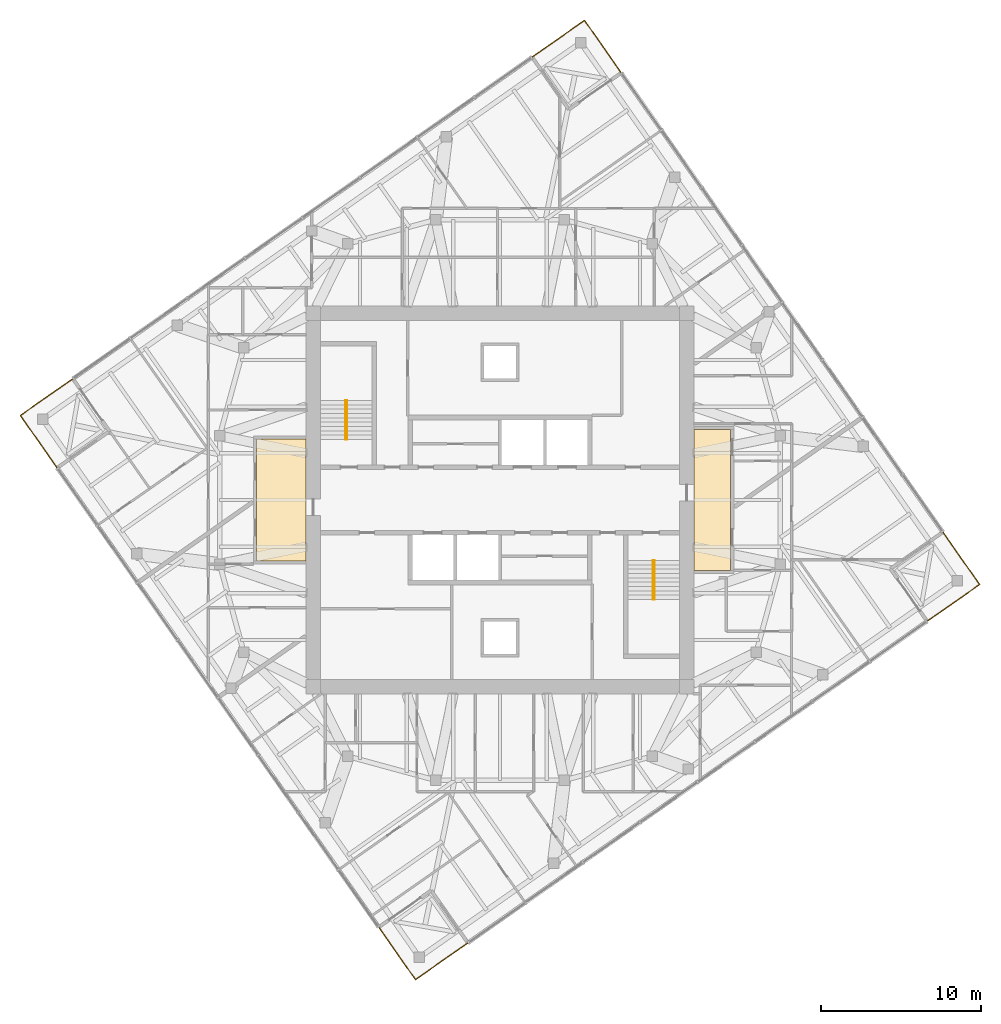
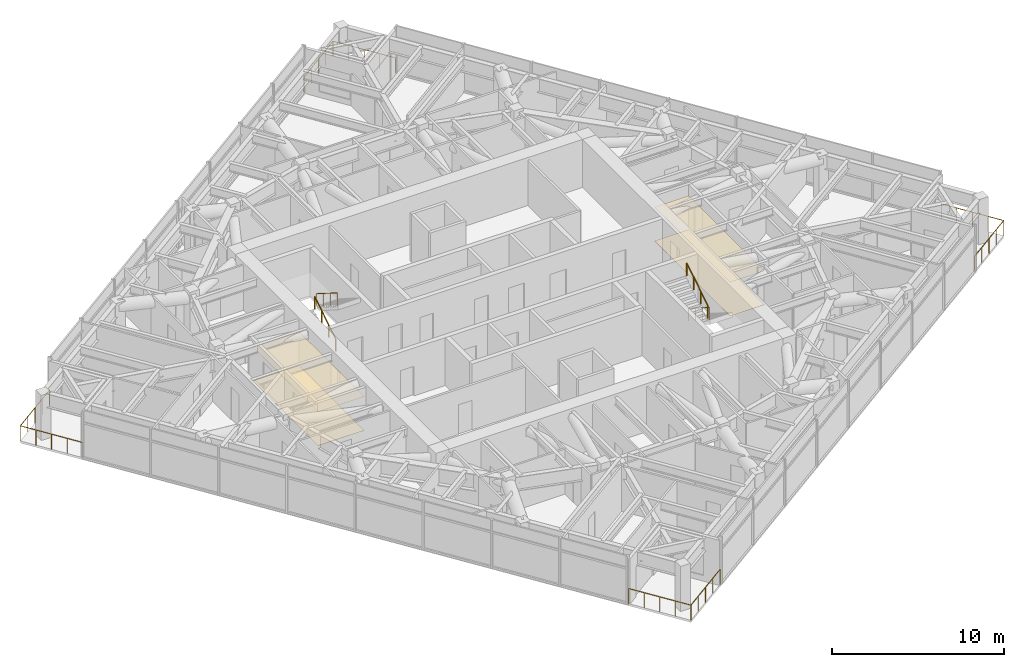
# One storey, part 15 of 15: 8 railings, 4 coverings, 2 elements without a shape of their own.
"""IFC4 building model written with IfcOpenShell, lengths in metres."""

from ifc_helpers import new_model, si_unit, direction, frame, origin, origin_2d, place, context, subcontext, project, spatial, polyline, circle, outline, extrude, material, layer, layer_set, type_object, element, aggregate, save


model = new_model("IFC4")

# Units and contexts
model_context = context("Model", 3, precision=1e-05, world=origin(), true_north=direction((0.0, 1.0)))
body_context = subcontext(model_context, "Body", "Model", "MODEL_VIEW")
ifc_project = project(units=[si_unit("LENGTHUNIT", "METRE"), si_unit("AREAUNIT", "SQUARE_METRE"), si_unit("VOLUMEUNIT", "CUBIC_METRE"), si_unit("PLANEANGLEUNIT", "RADIAN"), si_unit("MASSUNIT", "GRAM", prefix="KILO")], contexts=[model_context])

# Site, building, storey
site_placement = place(None, origin())
site = spatial("IfcSite", under=ifc_project, at=site_placement, CompositionType="ELEMENT")
building_placement = place(site_placement, origin())
building = spatial("IfcBuilding", under=site, at=building_placement, Name="Torsade Residences", CompositionType="ELEMENT")
storey_placement = place(building_placement, frame((0.0, 0.0, 264.199951171875)))
storey = spatial("IfcBuildingStorey", under=building, at=storey_placement, Name="L73", CompositionType="ELEMENT", Elevation=264.199951171875)

# Coverings
ifc_material_1 = material(Name="Nylon carpet tile on underlay", Category="textile")
ifc_layer_1 = layer(ifc_material_1, 0.010009765625)
ifc_layer_set_1 = layer_set([ifc_layer_1], Name="Nylon carpet tile on underlay")
covering_type_1 = type_object("IfcCoveringType", Name="CORRIDOR CARPET TILE 10", PredefinedType="FLOORING", material=ifc_layer_set_1)
covering_1_placement = place(storey_placement, origin())
element("IfcCovering", 1, at=covering_1_placement, inside=storey, type_object=covering_type_1, Name="Corridor carpet L73", PredefinedType="FLOORING", context=body_context, shape_type="SweptSolid", body=[
    extrude(outline(polyline([(54.39990234375, 25.60009765625), (54.39990234375, 34.39990234375), (52.10009765625, 34.39990234375), (52.10009765625, 25.60009765625), (54.39990234375, 25.60009765625)])), origin(), (0.0, 0.0, 1.0), 0.010009765625),
])
covering_2_placement = place(storey_placement, origin())
element("IfcCovering", 2, at=covering_2_placement, inside=storey, type_object=covering_type_1, Name="Corridor carpet west L73", PredefinedType="FLOORING", context=body_context, shape_type="SweptSolid", body=[
    extrude(outline(polyline([(27.89990234375, 26.199951171875), (27.89990234375, 33.800048828125), (24.800048828125, 33.800048828125), (24.800048828125, 26.199951171875), (27.89990234375, 26.199951171875)])), origin(), (0.0, 0.0, 1.0), 0.010009765625),
])
ifc_material_2 = material(Name="Plasterboard on suspended steel grid", Category="steel")
ifc_layer_2 = layer(ifc_material_2, 0.012939453125)
ifc_layer_set_2 = layer_set([ifc_layer_2], Name="Plasterboard on suspended steel grid")
covering_type_2 = type_object("IfcCoveringType", Name="CORRIDOR SUSPENDED CEILING 13", PredefinedType="CEILING", material=ifc_layer_set_2)
covering_3_placement = place(storey_placement, frame((0.0, 0.0, 2.400146484375)))
element("IfcCovering", 3, at=covering_3_placement, inside=storey, type_object=covering_type_2, Name="Corridor ceiling L73", PredefinedType="CEILING", context=body_context, shape_type="SweptSolid", body=[
    extrude(outline(polyline([(54.39990234375, 25.60009765625), (54.39990234375, 34.39990234375), (52.10009765625, 34.39990234375), (52.10009765625, 25.60009765625), (54.39990234375, 25.60009765625)])), origin(), (0.0, 0.0, 1.0), 0.012939453125),
])
covering_4_placement = place(storey_placement, frame((0.0, 0.0, 2.400146484375)))
element("IfcCovering", 4, at=covering_4_placement, inside=storey, type_object=covering_type_2, Name="Corridor ceiling west L73", PredefinedType="CEILING", context=body_context, shape_type="SweptSolid", body=[
    extrude(outline(polyline([(27.89990234375, 26.199951171875), (27.89990234375, 33.800048828125), (24.800048828125, 33.800048828125), (24.800048828125, 26.199951171875), (27.89990234375, 26.199951171875)])), origin(), (0.0, 0.0, 1.0), 0.012939453125),
])

# Stair, railings
ifc_material_3 = material(Name="Precast concrete 40 MPa", Category="concrete")
stair_type = type_object("IfcStairType", Name="HALF-TURN FIRE STAIR 1500x3400", PredefinedType="HALF_TURN_STAIR", material=ifc_material_3)
stair_1_placement = place(storey_placement, origin())
stair_1 = element("IfcStair", 5, at=stair_1_placement, inside=storey, type_object=stair_type, Name="Stair ST1 L73", PredefinedType="HALF_TURN_STAIR")
ifc_material_4 = material(Name="Steel handrail", Category="steel")
railing_type_1 = type_object("IfcRailingType", Name="STAIR HANDRAIL 900", PredefinedType="HANDRAIL", material=ifc_material_4)
railing_1_placement = place(storey_placement, frame((30.35009765625, 33.780029296875, 0.170166015625)))
railing_1 = element("IfcRailing", 6, at=railing_1_placement, type_object=railing_type_1, Name="Handrail ST1 flight 1 L73", PredefinedType="HANDRAIL", context=body_context, shape_type="SweptSolid", body=[
    extrude(circle(Radius=0.02392578125, at=origin_2d()), frame((0.0, 0.0, 0.8759765625), z_axis=(0.0, 0.846259816676, 0.532770422113), x_axis=(-1.0, 0.0, 0.0)), (0.0, 0.0, 1.0), 2.871337890625),
    extrude(circle(Radius=0.02099609375, at=origin_2d()), origin(), (0.0, 0.0, 1.0), 0.851806640625),
    extrude(circle(Radius=0.02099609375, at=origin_2d()), frame((0.0, 0.81005859375, 0.510009765625)), (0.0, 0.0, 1.0), 0.851806640625),
    extrude(circle(Radius=0.02099609375, at=origin_2d()), frame((0.0, 1.619873046875, 1.019775390625)), (0.0, 0.0, 1.0), 0.851806640625),
    extrude(circle(Radius=0.02099609375, at=origin_2d()), frame((0.0, 2.429931640625, 1.52978515625)), (0.0, 0.0, 1.0), 0.851806640625),
])
railing_2_placement = place(storey_placement, frame((30.449951171875, 36.2099609375, 1.8701171875)))
railing_2 = element("IfcRailing", 7, at=railing_2_placement, type_object=railing_type_1, Name="Handrail ST1 flight 2 L73", PredefinedType="HANDRAIL", context=body_context, shape_type="SweptSolid", body=[
    extrude(circle(Radius=0.02392578125, at=origin_2d()), frame((0.0, 0.0, 0.8759765625), z_axis=(0.0, -0.846221481393, 0.532831309544), x_axis=(1.0, 0.0, 0.0)), (0.0, 0.0, 1.0), 2.87158203125),
    extrude(circle(Radius=0.02099609375, at=origin_2d()), origin(), (0.0, 0.0, 1.0), 0.851806640625),
    extrude(circle(Radius=0.02099609375, at=origin_2d()), frame((0.0, -0.81005859375, 0.510009765625)), (0.0, 0.0, 1.0), 0.851806640625),
    extrude(circle(Radius=0.02099609375, at=origin_2d()), frame((0.0, -1.619873046875, 1.02001953125)), (0.0, 0.0, 1.0), 0.851806640625),
    extrude(circle(Radius=0.02099609375, at=origin_2d()), frame((0.0, -2.429931640625, 1.530029296875)), (0.0, 0.0, 1.0), 0.851806640625),
])
aggregate(stair_1, [railing_1, railing_2])

stair_2_placement = place(storey_placement, origin())
stair_2 = element("IfcStair", 8, at=stair_2_placement, inside=storey, type_object=stair_type, Name="Stair ST2 L73", PredefinedType="HALF_TURN_STAIR")
railing_3_placement = place(storey_placement, frame((49.64990234375, 26.219970703125, 0.170166015625)))
railing_3 = element("IfcRailing", 9, at=railing_3_placement, type_object=railing_type_1, Name="Handrail ST2 flight 1 L73", PredefinedType="HANDRAIL", context=body_context, shape_type="SweptSolid", body=[
    extrude(circle(Radius=0.02392578125, at=origin_2d()), frame((0.0, 0.0, 0.8759765625), z_axis=(0.0, -0.846259816676, 0.532770422113), x_axis=(1.0, 0.0, 0.0)), (0.0, 0.0, 1.0), 2.871337890625),
    extrude(circle(Radius=0.02099609375, at=origin_2d()), origin(), (0.0, 0.0, 1.0), 0.851806640625),
    extrude(circle(Radius=0.02099609375, at=origin_2d()), frame((0.0, -0.81005859375, 0.510009765625)), (0.0, 0.0, 1.0), 0.851806640625),
    extrude(circle(Radius=0.02099609375, at=origin_2d()), frame((0.0, -1.619873046875, 1.019775390625)), (0.0, 0.0, 1.0), 0.851806640625),
    extrude(circle(Radius=0.02099609375, at=origin_2d()), frame((0.0, -2.429931640625, 1.52978515625)), (0.0, 0.0, 1.0), 0.851806640625),
])
railing_4_placement = place(storey_placement, frame((49.550048828125, 23.7900390625, 1.8701171875)))
railing_4 = element("IfcRailing", 10, at=railing_4_placement, type_object=railing_type_1, Name="Handrail ST2 flight 2 L73", PredefinedType="HANDRAIL", context=body_context, shape_type="SweptSolid", body=[
    extrude(circle(Radius=0.02392578125, at=origin_2d()), frame((0.0, 0.0, 0.8759765625), z_axis=(0.0, 0.846221481393, 0.532831309544), x_axis=(-1.0, 0.0, 0.0)), (0.0, 0.0, 1.0), 2.87158203125),
    extrude(circle(Radius=0.02099609375, at=origin_2d()), origin(), (0.0, 0.0, 1.0), 0.851806640625),
    extrude(circle(Radius=0.02099609375, at=origin_2d()), frame((0.0, 0.81005859375, 0.510009765625)), (0.0, 0.0, 1.0), 0.851806640625),
    extrude(circle(Radius=0.02099609375, at=origin_2d()), frame((0.0, 1.619873046875, 1.02001953125)), (0.0, 0.0, 1.0), 0.851806640625),
    extrude(circle(Radius=0.02099609375, at=origin_2d()), frame((0.0, 2.429931640625, 1.530029296875)), (0.0, 0.0, 1.0), 0.851806640625),
])
aggregate(stair_2, [railing_3, railing_4])

# Railings
ifc_material_5 = material(Name="Laminated glass balustrade", Category="glass")
railing_type_2 = type_object("IfcRailingType", Name="TERRACE GLASS BALUSTRADE 1100", PredefinedType="BALUSTRADE", material=ifc_material_5)
railing_5_placement = place(storey_placement, frame((66.6669921875, 22.42578125, 0.0)))
element("IfcRailing", 11, at=railing_5_placement, inside=storey, type_object=railing_type_2, Name="Terrace balustrade SE L73", PredefinedType="BALUSTRADE", context=body_context, shape_type="SweptSolid", body=[
    extrude(circle(Radius=0.02392578125, at=origin_2d()), frame((0.0, 0.0, 1.076171875), z_axis=(0.819137286189, 0.573597512525, 0.0), x_axis=(-0.573597512525, 0.819137286189, 0.0)), (0.0, 0.0, 1.0), 4.0),
    extrude(circle(Radius=0.02392578125, at=origin_2d()), frame((3.276611328125, 2.29443359375, 1.076171875), z_axis=(-0.573556557423, 0.819165963305, 0.0), x_axis=(-0.819165963305, -0.573556557423, 0.0)), (0.0, 0.0, 1.0), 4.0),
    extrude(circle(Radius=0.02099609375, at=origin_2d()), origin(), (0.0, 0.0, 1.0), 1.052001953125),
    extrude(circle(Radius=0.02099609375, at=origin_2d()), frame((0.819091796875, 0.57373046875, 0.0)), (0.0, 0.0, 1.0), 1.052001953125),
    extrude(circle(Radius=0.02099609375, at=origin_2d()), frame((1.63818359375, 1.147216796875, 0.0)), (0.0, 0.0, 1.0), 1.052001953125),
    extrude(circle(Radius=0.02099609375, at=origin_2d()), frame((2.45751953125, 1.720703125, 0.0)), (0.0, 0.0, 1.0), 1.052001953125),
    extrude(circle(Radius=0.02099609375, at=origin_2d()), frame((3.276611328125, 2.29443359375, 0.0)), (0.0, 0.0, 1.0), 1.052001953125),
    extrude(circle(Radius=0.02099609375, at=origin_2d()), frame((2.703125, 3.113525390625, 0.0)), (0.0, 0.0, 1.0), 1.052001953125),
    extrude(circle(Radius=0.02099609375, at=origin_2d()), frame((2.12939453125, 3.9326171875, 0.0)), (0.0, 0.0, 1.0), 1.052001953125),
    extrude(circle(Radius=0.02099609375, at=origin_2d()), frame((1.555908203125, 4.751953125, 0.0)), (0.0, 0.0, 1.0), 1.052001953125),
    extrude(circle(Radius=0.02099609375, at=origin_2d()), frame((0.982421875, 5.571044921875, 0.0)), (0.0, 0.0, 1.0), 1.052001953125),
])
railing_6_placement = place(storey_placement, frame((47.57421875, 56.6669921875, 0.0)))
element("IfcRailing", 12, at=railing_6_placement, inside=storey, type_object=railing_type_2, Name="Terrace balustrade NE L73", PredefinedType="BALUSTRADE", context=body_context, shape_type="SweptSolid", body=[
    extrude(circle(Radius=0.02392578125, at=origin_2d()), frame((0.0, 0.0, 1.076171875), z_axis=(-0.573597512525, 0.819137286189, 0.0), x_axis=(-0.819137286189, -0.573597512525, 0.0)), (0.0, 0.0, 1.0), 4.0),
    extrude(circle(Radius=0.02392578125, at=origin_2d()), frame((-2.29443359375, 3.276611328125, 1.076171875), z_axis=(-0.819165963305, -0.573556557423, 0.0), x_axis=(0.573556557423, -0.819165963305, 0.0)), (0.0, 0.0, 1.0), 4.0),
    extrude(circle(Radius=0.02099609375, at=origin_2d()), origin(), (0.0, 0.0, 1.0), 1.052001953125),
    extrude(circle(Radius=0.02099609375, at=origin_2d()), frame((-0.57373046875, 0.819091796875, 0.0)), (0.0, 0.0, 1.0), 1.052001953125),
    extrude(circle(Radius=0.02099609375, at=origin_2d()), frame((-1.147216796875, 1.63818359375, 0.0)), (0.0, 0.0, 1.0), 1.052001953125),
    extrude(circle(Radius=0.02099609375, at=origin_2d()), frame((-1.720703125, 2.45751953125, 0.0)), (0.0, 0.0, 1.0), 1.052001953125),
    extrude(circle(Radius=0.02099609375, at=origin_2d()), frame((-2.29443359375, 3.276611328125, 0.0)), (0.0, 0.0, 1.0), 1.052001953125),
    extrude(circle(Radius=0.02099609375, at=origin_2d()), frame((-3.113525390625, 2.703125, 0.0)), (0.0, 0.0, 1.0), 1.052001953125),
    extrude(circle(Radius=0.02099609375, at=origin_2d()), frame((-3.9326171875, 2.12939453125, 0.0)), (0.0, 0.0, 1.0), 1.052001953125),
    extrude(circle(Radius=0.02099609375, at=origin_2d()), frame((-4.751953125, 1.555908203125, 0.0)), (0.0, 0.0, 1.0), 1.052001953125),
    extrude(circle(Radius=0.02099609375, at=origin_2d()), frame((-5.571044921875, 0.982421875, 0.0)), (0.0, 0.0, 1.0), 1.052001953125),
])
railing_7_placement = place(storey_placement, frame((13.3330078125, 37.57421875, 0.0)))
element("IfcRailing", 13, at=railing_7_placement, inside=storey, type_object=railing_type_2, Name="Terrace balustrade NW L73", PredefinedType="BALUSTRADE", context=body_context, shape_type="SweptSolid", body=[
    extrude(circle(Radius=0.02392578125, at=origin_2d()), frame((0.0, 0.0, 1.076171875), z_axis=(-0.819137286189, -0.573597512525, 0.0), x_axis=(0.573597512525, -0.819137286189, 0.0)), (0.0, 0.0, 1.0), 4.0),
    extrude(circle(Radius=0.02392578125, at=origin_2d()), frame((-3.276611328125, -2.29443359375, 1.076171875), z_axis=(0.573556557423, -0.819165963305, 0.0), x_axis=(0.819165963305, 0.573556557423, 0.0)), (0.0, 0.0, 1.0), 4.0),
    extrude(circle(Radius=0.02099609375, at=origin_2d()), origin(), (0.0, 0.0, 1.0), 1.052001953125),
    extrude(circle(Radius=0.02099609375, at=origin_2d()), frame((-0.819091796875, -0.57373046875, 0.0)), (0.0, 0.0, 1.0), 1.052001953125),
    extrude(circle(Radius=0.02099609375, at=origin_2d()), frame((-1.63818359375, -1.147216796875, 0.0)), (0.0, 0.0, 1.0), 1.052001953125),
    extrude(circle(Radius=0.02099609375, at=origin_2d()), frame((-2.45751953125, -1.720703125, 0.0)), (0.0, 0.0, 1.0), 1.052001953125),
    extrude(circle(Radius=0.02099609375, at=origin_2d()), frame((-3.276611328125, -2.29443359375, 0.0)), (0.0, 0.0, 1.0), 1.052001953125),
    extrude(circle(Radius=0.02099609375, at=origin_2d()), frame((-2.703125, -3.113525390625, 0.0)), (0.0, 0.0, 1.0), 1.052001953125),
    extrude(circle(Radius=0.02099609375, at=origin_2d()), frame((-2.12939453125, -3.9326171875, 0.0)), (0.0, 0.0, 1.0), 1.052001953125),
    extrude(circle(Radius=0.02099609375, at=origin_2d()), frame((-1.555908203125, -4.751953125, 0.0)), (0.0, 0.0, 1.0), 1.052001953125),
    extrude(circle(Radius=0.02099609375, at=origin_2d()), frame((-0.982421875, -5.571044921875, 0.0)), (0.0, 0.0, 1.0), 1.052001953125),
])
railing_8_placement = place(storey_placement, frame((32.42578125, 3.3330078125, 0.0)))
element("IfcRailing", 14, at=railing_8_placement, inside=storey, type_object=railing_type_2, Name="Terrace balustrade SW L73", PredefinedType="BALUSTRADE", context=body_context, shape_type="SweptSolid", body=[
    extrude(circle(Radius=0.02392578125, at=origin_2d()), frame((0.0, 0.0, 1.076171875), z_axis=(0.573597512525, -0.819137286189, 0.0), x_axis=(0.819137286189, 0.573597512525, 0.0)), (0.0, 0.0, 1.0), 4.0),
    extrude(circle(Radius=0.02392578125, at=origin_2d()), frame((2.29443359375, -3.276611328125, 1.076171875), z_axis=(0.819165963305, 0.573556557423, 0.0), x_axis=(-0.573556557423, 0.819165963305, 0.0)), (0.0, 0.0, 1.0), 4.0),
    extrude(circle(Radius=0.02099609375, at=origin_2d()), origin(), (0.0, 0.0, 1.0), 1.052001953125),
    extrude(circle(Radius=0.02099609375, at=origin_2d()), frame((0.57373046875, -0.819091796875, 0.0)), (0.0, 0.0, 1.0), 1.052001953125),
    extrude(circle(Radius=0.02099609375, at=origin_2d()), frame((1.147216796875, -1.63818359375, 0.0)), (0.0, 0.0, 1.0), 1.052001953125),
    extrude(circle(Radius=0.02099609375, at=origin_2d()), frame((1.720703125, -2.45751953125, 0.0)), (0.0, 0.0, 1.0), 1.052001953125),
    extrude(circle(Radius=0.02099609375, at=origin_2d()), frame((2.29443359375, -3.276611328125, 0.0)), (0.0, 0.0, 1.0), 1.052001953125),
    extrude(circle(Radius=0.02099609375, at=origin_2d()), frame((3.113525390625, -2.703125, 0.0)), (0.0, 0.0, 1.0), 1.052001953125),
    extrude(circle(Radius=0.02099609375, at=origin_2d()), frame((3.9326171875, -2.12939453125, 0.0)), (0.0, 0.0, 1.0), 1.052001953125),
    extrude(circle(Radius=0.02099609375, at=origin_2d()), frame((4.751953125, -1.555908203125, 0.0)), (0.0, 0.0, 1.0), 1.052001953125),
    extrude(circle(Radius=0.02099609375, at=origin_2d()), frame((5.571044921875, -0.982421875, 0.0)), (0.0, 0.0, 1.0), 1.052001953125),
])

save(model, "model.ifc")
